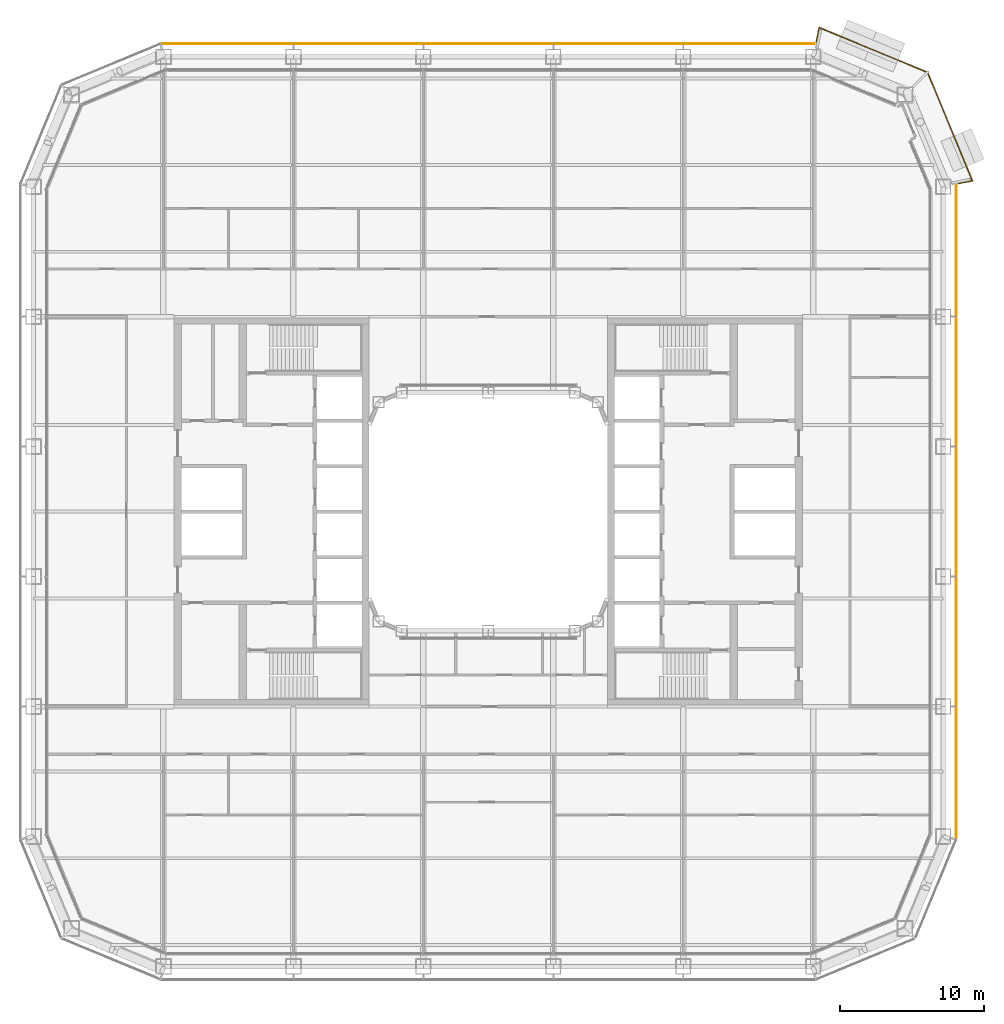
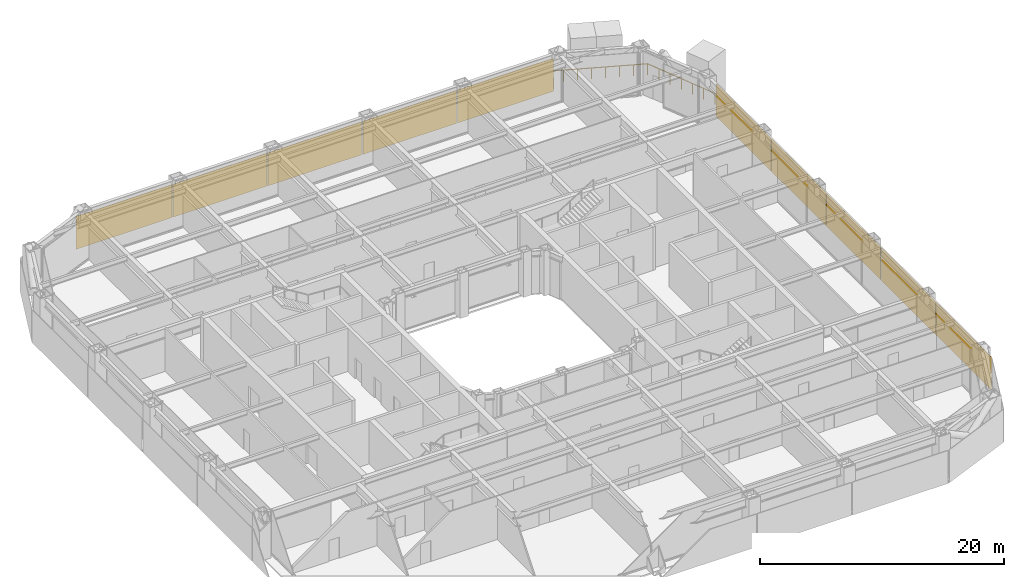
# One storey, part 29 of 30: 10 coverings, 1 railing.
"""IFC4 building model written with IfcOpenShell, lengths in metres."""

from ifc_helpers import new_model, si_unit, direction, frame, origin, origin_2d, place, context, subcontext, project, spatial, rectangle, circle, extrude, material, layer, layer_set, type_object, element, save


model = new_model("IFC4")

# Units and contexts
model_context = context("Model", 3, precision=1e-05, world=origin(), true_north=direction((0.0, 1.0)))
body_context = subcontext(model_context, "Body", "Model", "MODEL_VIEW")
ifc_project = project(units=[si_unit("LENGTHUNIT", "METRE"), si_unit("AREAUNIT", "SQUARE_METRE"), si_unit("VOLUMEUNIT", "CUBIC_METRE"), si_unit("PLANEANGLEUNIT", "RADIAN"), si_unit("MASSUNIT", "GRAM", prefix="KILO")], contexts=[model_context])

# Site, building, storey
site_placement = place(None, origin())
site = spatial("IfcSite", under=ifc_project, at=site_placement, CompositionType="ELEMENT")
building_placement = place(site_placement, origin())
building = spatial("IfcBuilding", under=site, at=building_placement, Name="Siwar Civic Tower", CompositionType="ELEMENT")
storey_placement = place(building_placement, frame((0.0, 0.0, 44.699951171875)))
storey = spatial("IfcBuildingStorey", under=building, at=storey_placement, Name="L09", CompositionType="ELEMENT", Elevation=44.699951171875)

# Railing
ifc_material_1 = material(Name="Stainless steel 316", Category="steel")
railing_type = type_object("IfcRailingType", Name="ENV-GUARD", PredefinedType="GUARDRAIL", material=ifc_material_1)
railing_placement = place(storey_placement, frame((32.547119140625, 22.708251953125, 0.0)))
element("IfcRailing", 1, at=railing_placement, inside=storey, type_object=railing_type, Name="Balcony guard NE", PredefinedType="GUARDRAIL", context=body_context, shape_type="SweptSolid", body=[
    extrude(circle(Radius=0.02392578125, at=origin_2d()), frame((0.0, 0.0, 1.076171875), z_axis=(0.980778661911, 0.195123592472, 0.0), x_axis=(-0.195123592472, 0.980778661911, 0.0)), (0.0, 0.0, 1.0), 0.993408203125),
    extrude(circle(Radius=0.02392578125, at=origin_2d()), frame((0.974365234375, 0.19384765625, 1.076171875), z_axis=(-0.382176720888, 0.924089256518, 0.0), x_axis=(-0.924089256518, -0.382176720888, 0.0)), (0.0, 0.0, 1.0), 8.129638671875),
    extrude(circle(Radius=0.02392578125, at=origin_2d()), frame((-2.132568359375, 7.706298828125, 1.076171875), z_axis=(-0.924089256518, 0.382176720888, 0.0), x_axis=(-0.382176720888, -0.924089256518, 0.0)), (0.0, 0.0, 1.0), 8.129638671875),
    extrude(circle(Radius=0.02392578125, at=origin_2d()), frame((-9.64501953125, 10.813232421875, 1.076171875), z_axis=(-0.195123592472, -0.980778661911, 0.0), x_axis=(0.980778661911, -0.195123592472, 0.0)), (0.0, 0.0, 1.0), 0.993408203125),
    extrude(circle(Radius=0.02099609375, at=origin_2d()), origin(), (0.0, 0.0, 1.0), 1.052001953125),
    extrude(circle(Radius=0.02099609375, at=origin_2d()), frame((0.974365234375, 0.19384765625, 0.0)), (0.0, 0.0, 1.0), 1.052001953125),
    extrude(circle(Radius=0.02099609375, at=origin_2d()), frame((0.530517578125, 1.26708984375, 0.0)), (0.0, 0.0, 1.0), 1.052001953125),
    extrude(circle(Radius=0.02099609375, at=origin_2d()), frame((0.086669921875, 2.34033203125, 0.0)), (0.0, 0.0, 1.0), 1.052001953125),
    extrude(circle(Radius=0.02099609375, at=origin_2d()), frame((-0.357177734375, 3.41357421875, 0.0)), (0.0, 0.0, 1.0), 1.052001953125),
    extrude(circle(Radius=0.02099609375, at=origin_2d()), frame((-0.801025390625, 4.486572265625, 0.0)), (0.0, 0.0, 1.0), 1.052001953125),
    extrude(circle(Radius=0.02099609375, at=origin_2d()), frame((-1.244873046875, 5.559814453125, 0.0)), (0.0, 0.0, 1.0), 1.052001953125),
    extrude(circle(Radius=0.02099609375, at=origin_2d()), frame((-1.688720703125, 6.633056640625, 0.0)), (0.0, 0.0, 1.0), 1.052001953125),
    extrude(circle(Radius=0.02099609375, at=origin_2d()), frame((-2.132568359375, 7.706298828125, 0.0)), (0.0, 0.0, 1.0), 1.052001953125),
    extrude(circle(Radius=0.02099609375, at=origin_2d()), frame((-3.205810546875, 8.150146484375, 0.0)), (0.0, 0.0, 1.0), 1.052001953125),
    extrude(circle(Radius=0.02099609375, at=origin_2d()), frame((-4.279052734375, 8.593994140625, 0.0)), (0.0, 0.0, 1.0), 1.052001953125),
    extrude(circle(Radius=0.02099609375, at=origin_2d()), frame((-5.352294921875, 9.037841796875, 0.0)), (0.0, 0.0, 1.0), 1.052001953125),
    extrude(circle(Radius=0.02099609375, at=origin_2d()), frame((-6.42529296875, 9.481689453125, 0.0)), (0.0, 0.0, 1.0), 1.052001953125),
    extrude(circle(Radius=0.02099609375, at=origin_2d()), frame((-7.49853515625, 9.925537109375, 0.0)), (0.0, 0.0, 1.0), 1.052001953125),
    extrude(circle(Radius=0.02099609375, at=origin_2d()), frame((-8.57177734375, 10.369384765625, 0.0)), (0.0, 0.0, 1.0), 1.052001953125),
    extrude(circle(Radius=0.02099609375, at=origin_2d()), frame((-9.64501953125, 10.813232421875, 0.0)), (0.0, 0.0, 1.0), 1.052001953125),
    extrude(circle(Radius=0.02099609375, at=origin_2d()), frame((-9.8388671875, 9.8388671875, 0.0)), (0.0, 0.0, 1.0), 1.052001953125),
])

# Coverings
ifc_material_2 = material(Name="Perforated aluminium cassette, pale metal", Category="aluminium")
ifc_layer = layer(ifc_material_2, 0.0400390625)
ifc_layer_set = layer_set([ifc_layer], Name="Perforated aluminium cassette, pale metal")
covering_type = type_object("IfcCoveringType", Name="ENV-OUTER SKIN OS-1", PredefinedType="CLADDING", material=ifc_layer_set)
covering_1_placement = place(storey_placement, frame((32.39990234375, -18.07958984375, -0.14990234375), z_axis=(0.0, 0.0, 1.0), x_axis=(0.0, 1.0, 0.0)))
element("IfcCovering", 2, at=covering_1_placement, inside=storey, type_object=covering_type, Name="OUTER SKIN OS-1 E 1", PredefinedType="CLADDING", context=body_context, shape_type="SweptSolid", body=[
    extrude(rectangle(XDim=9.05908203125, YDim=0.0400390625, at=origin_2d()), origin(), (0.0, 0.0, 1.0), 3.300048828125),
])
for number, where, z_axis, x_axis, name in (
    (3, (32.39990234375, -9.0, -0.14990234375), (0.0, 0.0, 1.0), (0.0, 1.0, 0.0), "OUTER SKIN OS-1 E 2"),
    (4, (32.39990234375, 0.0, -0.14990234375), (0.0, 0.0, 1.0), (0.0, 1.0, 0.0), "OUTER SKIN OS-1 E 3"),
    (5, (32.39990234375, 9.0, -0.14990234375), (0.0, 0.0, 1.0), (0.0, 1.0, 0.0), "OUTER SKIN OS-1 E 4"),
):
    element("IfcCovering", number, at=place(storey_placement, frame(where, z_axis=z_axis, x_axis=x_axis)), inside=storey, type_object=covering_type, Name=name, PredefinedType="CLADDING", context=body_context, shape_type="SweptSolid", body=[
        extrude(rectangle(XDim=8.89990234375, YDim=0.0400390625, at=origin_2d()), origin(), (0.0, 0.0, 1.0), 3.300048828125),
    ])
for number, where, z_axis, x_axis, name in (
    (6, (32.39990234375, 18.07958984375, -0.14990234375), (0.0, 0.0, 1.0), (0.0, 1.0, 0.0), "OUTER SKIN OS-1 E 5"),
    (7, (18.07958984375, 32.39990234375, -0.14990234375), (0.0, 0.0, 1.0), (-1.0, 0.0, 0.0), "OUTER SKIN OS-1 N 1"),
):
    element("IfcCovering", number, at=place(storey_placement, frame(where, z_axis=z_axis, x_axis=x_axis)), inside=storey, type_object=covering_type, Name=name, PredefinedType="CLADDING", context=body_context, shape_type="SweptSolid", body=[
        extrude(rectangle(XDim=9.05908203125, YDim=0.0400390625, at=origin_2d()), origin(), (0.0, 0.0, 1.0), 3.300048828125),
    ])
for number, where, z_axis, x_axis, name in (
    (8, (9.0, 32.39990234375, -0.14990234375), (0.0, 0.0, 1.0), (-1.0, 0.0, 0.0), "OUTER SKIN OS-1 N 2"),
    (9, (0.0, 32.39990234375, -0.14990234375), (0.0, 0.0, 1.0), (-1.0, 0.0, 0.0), "OUTER SKIN OS-1 N 3"),
    (10, (-9.0, 32.39990234375, -0.14990234375), (0.0, 0.0, 1.0), (-1.0, 0.0, 0.0), "OUTER SKIN OS-1 N 4"),
):
    element("IfcCovering", number, at=place(storey_placement, frame(where, z_axis=z_axis, x_axis=x_axis)), inside=storey, type_object=covering_type, Name=name, PredefinedType="CLADDING", context=body_context, shape_type="SweptSolid", body=[
        extrude(rectangle(XDim=8.89990234375, YDim=0.0400390625, at=origin_2d()), origin(), (0.0, 0.0, 1.0), 3.300048828125),
    ])
covering_2_placement = place(storey_placement, frame((-18.07958984375, 32.39990234375, -0.14990234375), z_axis=(0.0, 0.0, 1.0), x_axis=(-1.0, 0.0, 0.0)))
element("IfcCovering", 11, at=covering_2_placement, inside=storey, type_object=covering_type, Name="OUTER SKIN OS-1 N 5", PredefinedType="CLADDING", context=body_context, shape_type="SweptSolid", body=[
    extrude(rectangle(XDim=9.05908203125, YDim=0.0400390625, at=origin_2d()), origin(), (0.0, 0.0, 1.0), 3.300048828125),
])

save(model, "model.ifc")
